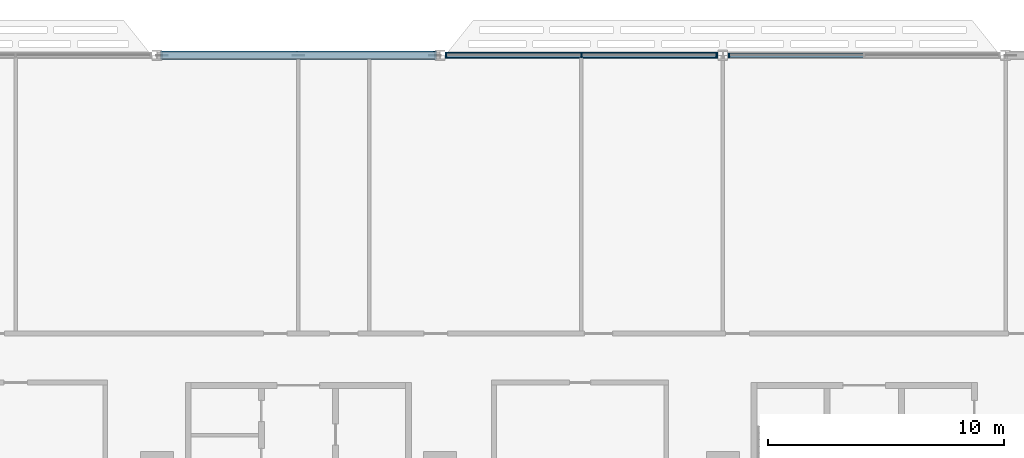
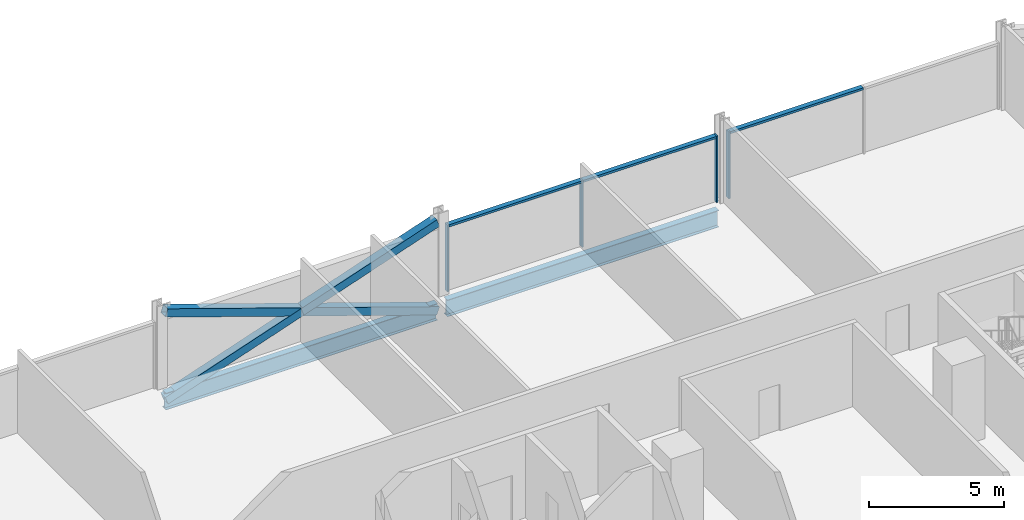
# One storey, part 7 of 29: 10 members, 2 beams, 2 elements without a shape of their own.
"""IFC4 building model written with IfcOpenShell, lengths in metres."""

from ifc_helpers import new_model, si_unit, direction, frame, origin, origin_2d, place, context, subcontext, project, spatial, rectangle, hollow_rectangle, i_section, extrude, material, material_profile, profile_set, type_object, element, aggregate, save


model = new_model("IFC4")

# Units and contexts
model_context = context("Model", 3, precision=1e-05, world=origin(), true_north=direction((0.0, 1.0)))
body_context = subcontext(model_context, "Body", "Model", "MODEL_VIEW")
ifc_project = project(units=[si_unit("LENGTHUNIT", "METRE"), si_unit("AREAUNIT", "SQUARE_METRE"), si_unit("VOLUMEUNIT", "CUBIC_METRE"), si_unit("PLANEANGLEUNIT", "RADIAN"), si_unit("MASSUNIT", "GRAM", prefix="KILO")], contexts=[model_context])

# Site, building, storey
site_placement = place(None, origin())
site = spatial("IfcSite", under=ifc_project, at=site_placement, CompositionType="ELEMENT")
building_placement = place(site_placement, origin())
building = spatial("IfcBuilding", under=site, at=building_placement, Name="Mahtab Terrace Research Tower", CompositionType="ELEMENT")
storey_placement = place(building_placement, frame((0.0, 0.0, 93.0)))
storey = spatial("IfcBuildingStorey", under=building, at=storey_placement, Name="L21", CompositionType="ELEMENT", Elevation=93.0)

# Members
ifc_material_1 = material(Name="Steel ASTM A500 Gr C", Category="steel")
ifc_material_profile_1 = material_profile(ifc_material_1, hollow_rectangle(XDim=0.355712890625, YDim=0.355712890625, WallThickness=0.01904296875, at=origin_2d()), Name="HSS14X14X3/4")
ifc_profile_set_1 = profile_set([ifc_material_profile_1], Name="Steel ASTM A500 Gr C")
member_type_1 = type_object("IfcMemberType", Name="HSS 14x14x3/4 brace XB141434", PredefinedType="BRACE", material=ifc_profile_set_1)
member_1_placement = place(storey_placement, frame((5.79052734375, 29.0, -0.64697265625), z_axis=(-0.946286750388, 0.0, 0.323328603809), x_axis=(0.0, -1.0, 0.0)))
element("IfcMember", 1, at=member_1_placement, inside=storey, type_object=member_type_1, Name="Exoskeleton brace L21 05 a", PredefinedType="BRACE", context=body_context, shape_type="SweptSolid", body=[
    extrude(hollow_rectangle(XDim=0.355712890625, YDim=0.355712890625, WallThickness=0.01904296875, at=origin_2d()), origin(), (0.0, 0.0, 1.0), 12.238525390625),
])
for number, where, z_axis, x_axis, name in (
    (2, (-5.79052734375, 29.0, -0.64697265625), (0.946286750388, 0.0, 0.323328603809), (0.0, 1.0, 0.0), "Exoskeleton brace L21 05 b1"),
    (3, (0.0, 29.0, 1.33154296875), (0.946286750388, 0.0, 0.323328603809), (0.0, 1.0, 0.0), "Exoskeleton brace L21 05 b2"),
):
    element("IfcMember", number, at=place(storey_placement, frame(where, z_axis=z_axis, x_axis=x_axis)), inside=storey, type_object=member_type_1, Name=name, PredefinedType="BRACE", context=body_context, shape_type="SweptSolid", body=[
        extrude(hollow_rectangle(XDim=0.355712890625, YDim=0.355712890625, WallThickness=0.01904296875, at=origin_2d()), origin(), (0.0, 0.0, 1.0), 6.119140625),
    ])

# Curtain wall, member
ifc_material_2 = material(Name="Laboratory ribbon curtain wall")
curtain_wall_type = type_object("IfcCurtainWallType", Name="Laboratory ribbon curtain wall", PredefinedType="NOTDEFINED", material=ifc_material_2)
curtain_wall_1_placement = place(storey_placement, origin())
curtain_wall_1 = element("IfcCurtainWall", 4, at=curtain_wall_1_placement, inside=storey, type_object=curtain_wall_type, Name="EN.L21.3.5", PredefinedType="NOTDEFINED")
ifc_material_3 = material(Name="Natural anodised aluminium", Category="aluminium")
ifc_material_profile_2 = material_profile(ifc_material_3, rectangle(XDim=0.199951171875, YDim=0.06494140625, at=origin_2d()), Name="MULLION 65x200")
ifc_profile_set_2 = profile_set([ifc_material_profile_2], Name="Natural anodised aluminium")
member_type_2 = type_object("IfcMemberType", Name="Laboratory ribbon curtain wall mullion", PredefinedType="MULLION", material=ifc_profile_set_2)
member_2_placement = place(storey_placement, frame((18.260498046875, 29.0, 0.0), z_axis=(0.0, 0.0, 1.0), x_axis=(0.0, -1.0, 0.0)))
member_2 = element("IfcMember", 5, at=member_2_placement, type_object=member_type_2, Name="CWL-3 mullion 3", PredefinedType="MULLION", context=body_context, shape_type="SweptSolid", body=[
    extrude(rectangle(XDim=0.199951171875, YDim=0.06494140625, at=origin_2d()), origin(), (0.0, 0.0, 1.0), 3.003173828125),
])

# Curtain wall, members
curtain_wall_2_placement = place(storey_placement, origin())
curtain_wall_2 = element("IfcCurtainWall", 6, at=curtain_wall_2_placement, inside=storey, type_object=curtain_wall_type, Name="EN.L21.3.6", PredefinedType="NOTDEFINED")
member_3_placement = place(storey_placement, frame((17.739501953125, 29.0, 0.0), z_axis=(0.0, 0.0, 1.0), x_axis=(0.0, -1.0, 0.0)))
member_3 = element("IfcMember", 7, at=member_3_placement, type_object=member_type_2, Name="CWL-3 mullion 1", PredefinedType="MULLION", context=body_context, shape_type="SweptSolid", body=[
    extrude(rectangle(XDim=0.199951171875, YDim=0.06494140625, at=origin_2d()), origin(), (0.0, 0.0, 1.0), 3.003173828125),
])
member_4_placement = place(storey_placement, frame((12.0, 29.0, 0.0), z_axis=(0.0, 0.0, 1.0), x_axis=(0.0, -1.0, 0.0)))
member_4 = element("IfcMember", 8, at=member_4_placement, type_object=member_type_2, Name="CWL-3 mullion 2", PredefinedType="MULLION", context=body_context, shape_type="SweptSolid", body=[
    extrude(rectangle(XDim=0.199951171875, YDim=0.06494140625, at=origin_2d()), origin(), (0.0, 0.0, 1.0), 3.003173828125),
])
member_5_placement = place(storey_placement, frame((6.260498046875, 29.0, 0.0), z_axis=(0.0, 0.0, 1.0), x_axis=(0.0, -1.0, 0.0)))
member_5 = element("IfcMember", 9, at=member_5_placement, type_object=member_type_2, Name="CWL-3 mullion 3", PredefinedType="MULLION", context=body_context, shape_type="SweptSolid", body=[
    extrude(rectangle(XDim=0.199951171875, YDim=0.06494140625, at=origin_2d()), origin(), (0.0, 0.0, 1.0), 3.003173828125),
])

# Member
ifc_material_profile_3 = material_profile(ifc_material_3, rectangle(XDim=0.199951171875, YDim=0.10009765625, at=origin_2d()), Name="TRANSOM 100x200")
ifc_profile_set_3 = profile_set([ifc_material_profile_3], Name="Natural anodised aluminium")
member_type_3 = type_object("IfcMemberType", Name="Laboratory ribbon curtain wall transom", PredefinedType="USERDEFINED", material=ifc_profile_set_3)
member_6_placement = place(storey_placement, frame((23.967529296875, 29.0, 2.953125), z_axis=(-1.0, 0.0, 0.0), x_axis=(0.0, -1.0, 0.0)))
member_6 = element("IfcMember", 10, at=member_6_placement, type_object=member_type_3, Name="CWL-3 transom 2", ObjectType="TRANSOM", PredefinedType="USERDEFINED", context=body_context, shape_type="SweptSolid", body=[
    extrude(rectangle(XDim=0.199951171875, YDim=0.10009765625, at=origin_2d()), origin(), (0.0, 0.0, 1.0), 5.674560546875),
])

aggregate(curtain_wall_1, [member_2, member_6])

member_7_placement = place(storey_placement, frame((17.70703125, 29.0, 2.953125), z_axis=(-1.0, 0.0, 0.0), x_axis=(0.0, -1.0, 0.0)))
member_7 = element("IfcMember", 11, at=member_7_placement, type_object=member_type_3, Name="CWL-3 transom 1", ObjectType="TRANSOM", PredefinedType="USERDEFINED", context=body_context, shape_type="SweptSolid", body=[
    extrude(rectangle(XDim=0.199951171875, YDim=0.10009765625, at=origin_2d()), origin(), (0.0, 0.0, 1.0), 5.674560546875),
])

member_8_placement = place(storey_placement, frame((11.967529296875, 29.0, 2.953125), z_axis=(-1.0, 0.0, 0.0), x_axis=(0.0, -1.0, 0.0)))
member_8 = element("IfcMember", 12, at=member_8_placement, type_object=member_type_3, Name="CWL-3 transom 2", ObjectType="TRANSOM", PredefinedType="USERDEFINED", context=body_context, shape_type="SweptSolid", body=[
    extrude(rectangle(XDim=0.199951171875, YDim=0.10009765625, at=origin_2d()), origin(), (0.0, 0.0, 1.0), 5.674560546875),
])

aggregate(curtain_wall_2, [member_3, member_4, member_5, member_7, member_8])

# Beams
ifc_material_4 = material(Name="Steel ASTM A992 Gr 50", Category="steel")
ifc_material_profile_4 = material_profile(ifc_material_4, i_section(OverallWidth=0.2666015625, OverallDepth=0.7568359375, WebThickness=0.013916015625, FlangeThickness=0.019287109375, at=origin_2d()), Name="W30X108")
ifc_profile_set_4 = profile_set([ifc_material_profile_4], Name="Steel ASTM A992 Gr 50")
beam_type = type_object("IfcBeamType", Name="W30x108 beam BS30108", PredefinedType="BEAM", material=ifc_profile_set_4)
for number, where, z_axis, x_axis, name in (
    (13, (17.79052734375, 29.0, -0.718505859375), (-1.0, 0.0, 0.0), (0.0, -1.0, 0.0), "Spandrel beam L21 04"),
    (14, (5.79052734375, 29.0, -0.718505859375), (-1.0, 0.0, 0.0), (0.0, -1.0, 0.0), "Spandrel beam L21 05"),
):
    element("IfcBeam", number, at=place(storey_placement, frame(where, z_axis=z_axis, x_axis=x_axis)), inside=storey, type_object=beam_type, Name=name, PredefinedType="BEAM", context=body_context, shape_type="SweptSolid", body=[
        extrude(i_section(OverallWidth=0.2666015625, OverallDepth=0.7568359375, WebThickness=0.013916015625, FlangeThickness=0.019287109375, at=origin_2d()), origin(), (0.0, 0.0, 1.0), 11.5810546875),
    ])

save(model, "model.ifc")
